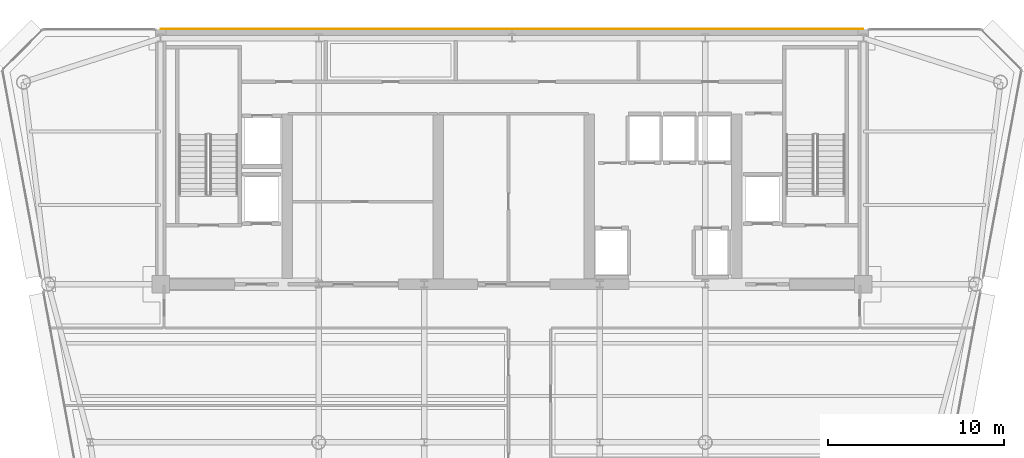
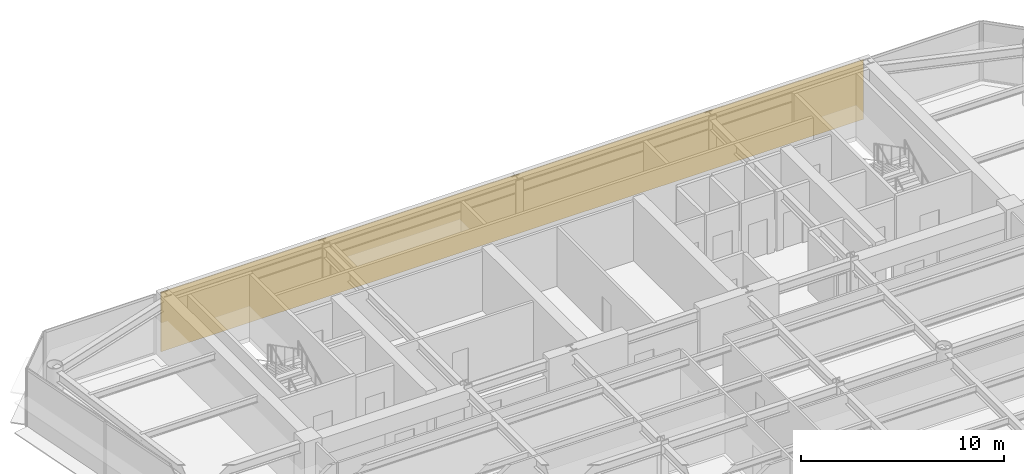
# One storey, part 15 of 16: 1 covering.
"""IFC4 building model written with IfcOpenShell, lengths in metres."""

from ifc_helpers import new_model, si_unit, direction, frame, origin, place, context, subcontext, project, spatial, polyline, outline, extrude, material, layer, layer_set, type_object, element, save


model = new_model("IFC4")

# Units and contexts
model_context = context("Model", 3, precision=1e-05, world=origin(), true_north=direction((0.0, 1.0)))
body_context = subcontext(model_context, "Body", "Model", "MODEL_VIEW")
ifc_project = project(units=[si_unit("LENGTHUNIT", "METRE"), si_unit("AREAUNIT", "SQUARE_METRE"), si_unit("VOLUMEUNIT", "CUBIC_METRE"), si_unit("PLANEANGLEUNIT", "RADIAN"), si_unit("MASSUNIT", "GRAM", prefix="KILO")], contexts=[model_context])

# Site, building, storey
site_placement = place(None, origin())
site = spatial("IfcSite", under=ifc_project, at=site_placement, CompositionType="ELEMENT")
building_placement = place(site_placement, origin())
building = spatial("IfcBuilding", under=site, at=building_placement, Name="Vaeldorn Concourse Tower", CompositionType="ELEMENT")
storey_placement = place(building_placement, frame((0.0, 0.0, 223.199951171875)))
storey = spatial("IfcBuildingStorey", under=building, at=storey_placement, Name="L57", CompositionType="ELEMENT", Elevation=223.199951171875)

# Covering
ifc_material = material(Name="Anodised Bronze Aluminium", Category="aluminium")
ifc_layer = layer(ifc_material, 0.050048828125)
ifc_layer_set = layer_set([ifc_layer], Name="Anodised Bronze Aluminium")
covering_type = type_object("IfcCoveringType", Name="COV-CLAD-BRONZE", PredefinedType="CLADDING", material=ifc_layer_set)
covering_placement = place(storey_placement, origin())
element("IfcCovering", 1, at=covering_placement, inside=storey, type_object=covering_type, Name="Rear Core Bronze Spandrel Cladding L57", PredefinedType="CLADDING", context=body_context, shape_type="SweptSolid", body=[
    extrude(outline(polyline([(14.0, 51.0), (54.0, 51.0), (54.0, 51.050048828125), (14.0, 51.050048828125), (14.0, 51.0)])), origin(), (0.0, 0.0, 1.0), 3.580078125),
])

save(model, "model.ifc")
